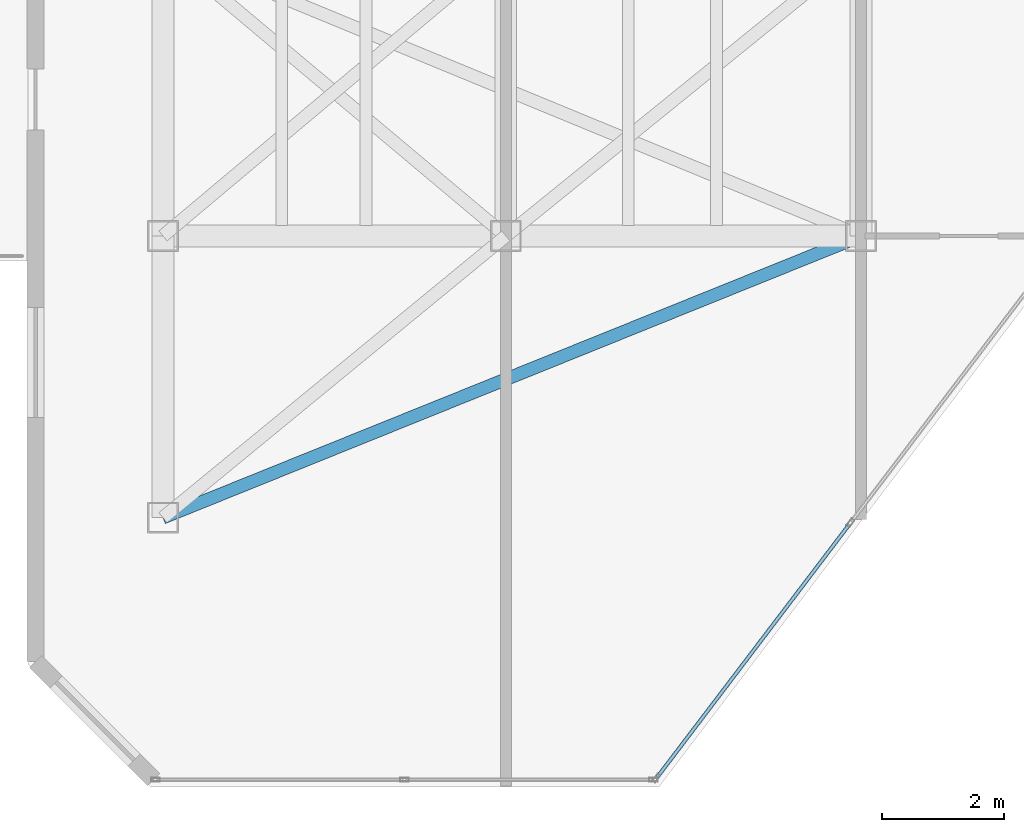
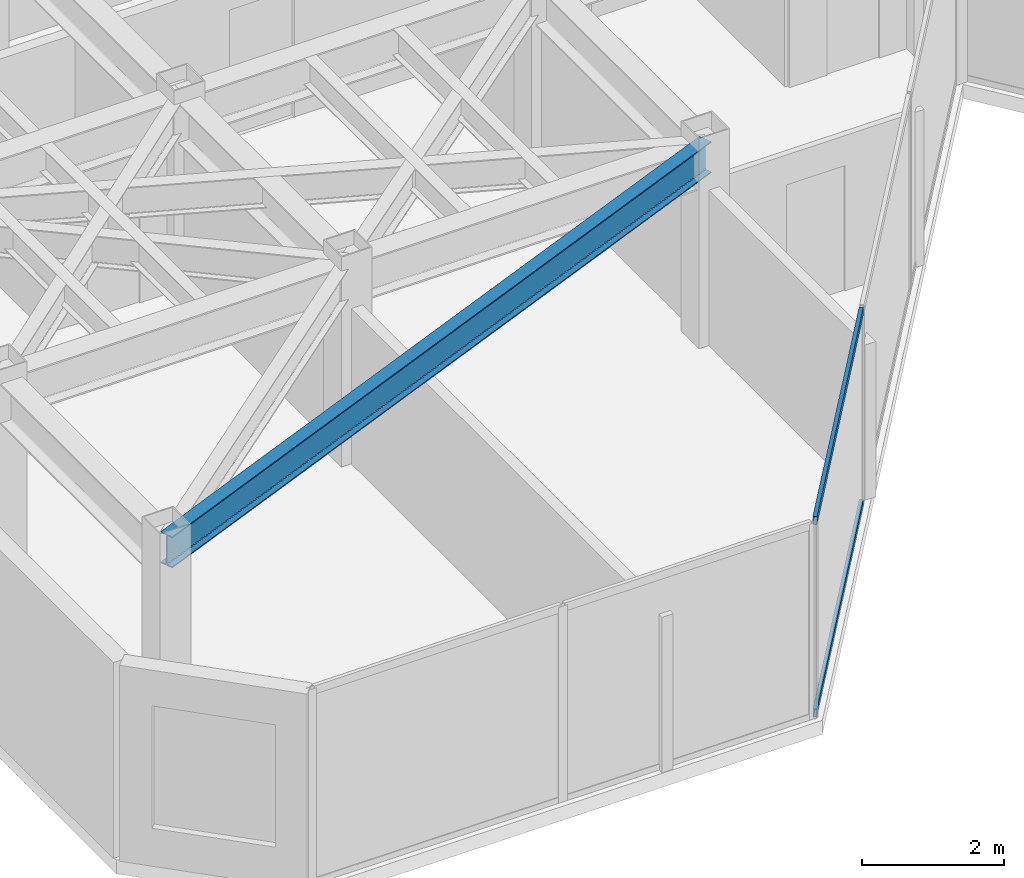
# One storey, part 3 of 17: 2 members, 1 beam, 1 element without a shape of its own.
"""IFC4 building model written with IfcOpenShell, lengths in metres."""

from ifc_helpers import new_model, si_unit, direction, frame, origin, origin_2d, place, context, subcontext, project, spatial, hollow_rectangle, i_section, extrude, material, layer, layer_set, material_profile, profile_set, type_object, element, aggregate, save


model = new_model("IFC4")

# Units and contexts
model_context = context("Model", 3, precision=1e-05, world=origin(), true_north=direction((0.0, 1.0)))
body_context = subcontext(model_context, "Body", "Model", "MODEL_VIEW")
ifc_project = project(units=[si_unit("LENGTHUNIT", "METRE"), si_unit("AREAUNIT", "SQUARE_METRE"), si_unit("VOLUMEUNIT", "CUBIC_METRE"), si_unit("PLANEANGLEUNIT", "RADIAN"), si_unit("MASSUNIT", "GRAM", prefix="KILO")], contexts=[model_context])

# Site, building, storey
site_placement = place(None, origin())
site = spatial("IfcSite", under=ifc_project, at=site_placement, CompositionType="ELEMENT")
building_placement = place(site_placement, origin())
building = spatial("IfcBuilding", under=site, at=building_placement, Name="Kravanh Interchange Tower", CompositionType="ELEMENT")
storey_placement = place(building_placement, frame((0.0, 0.0, 249.0)))
storey = spatial("IfcBuildingStorey", under=building, at=storey_placement, Name="L60", CompositionType="ELEMENT", Elevation=249.0)

# Curtain wall, members
ifc_material_1 = material(Name="Anodised Bronze Aluminium", Category="aluminium")
ifc_layer = layer(ifc_material_1, 0.179931640625)
ifc_layer_set = layer_set([ifc_layer], Name="Unitised Curtain Wall System CW-HTL Luxury Hotel")
curtain_wall_type = type_object("IfcCurtainWallType", Name="Unitised Curtain Wall System CW-HTL Luxury Hotel", PredefinedType="NOTDEFINED", material=ifc_layer_set)
curtain_wall_placement = place(storey_placement, origin())
curtain_wall = element("IfcCurtainWall", 1, at=curtain_wall_placement, inside=storey, type_object=curtain_wall_type, Name="L60 Unitised Curtain Wall CW-L60-04", PredefinedType="NOTDEFINED")
ifc_material_2 = material(Name="Anodised Bronze Aluminium", Category="aluminium")
ifc_material_profile_1 = material_profile(ifc_material_2, hollow_rectangle(XDim=0.06005859375, YDim=0.139892578125, WallThickness=0.00390625, at=origin_2d()), Name="ALU60X140X4")
ifc_profile_set_1 = profile_set([ifc_material_profile_1], Name="Anodised Bronze Aluminium")
member_type = type_object("IfcMemberType", Name="Curtain Wall Transom ALU60X140X4 Bronze", PredefinedType="USERDEFINED", material=ifc_profile_set_1)
member_1_placement = place(storey_placement, frame((38.408935546875, 22.0888671875, 0.030029296875), z_axis=(-0.605089246946, -0.796157649734, 0.0), x_axis=(0.796157649734, -0.605089246946, 0.0)))
member_1 = element("IfcMember", 2, at=member_1_placement, type_object=member_type, Name="CW-HTL transom 3.1", ObjectType="TRANSOM", PredefinedType="USERDEFINED", context=body_context, shape_type="SweptSolid", body=[
    extrude(hollow_rectangle(XDim=0.06005859375, YDim=0.139892578125, WallThickness=0.00390625, at=origin_2d()), origin(), (0.0, 0.0, 1.0), 5.17626953125),
])
member_2_placement = place(storey_placement, frame((38.408935546875, 22.0888671875, 3.330078125), z_axis=(-0.605089246946, -0.796157649734, 0.0), x_axis=(0.796157649734, -0.605089246946, 0.0)))
member_2 = element("IfcMember", 3, at=member_2_placement, type_object=member_type, Name="CW-HTL transom 3.2", ObjectType="TRANSOM", PredefinedType="USERDEFINED", context=body_context, shape_type="SweptSolid", body=[
    extrude(hollow_rectangle(XDim=0.06005859375, YDim=0.139892578125, WallThickness=0.00390625, at=origin_2d()), origin(), (0.0, 0.0, 1.0), 5.17626953125),
])
aggregate(curtain_wall, [member_1, member_2])

# Beam
ifc_material_3 = material(Name="Structural Steel S355", Category="steel")
ifc_material_profile_2 = material_profile(ifc_material_3, i_section(OverallWidth=0.2099609375, OverallDepth=0.537109375, WebThickness=0.010986328125, FlangeThickness=0.017333984375, FilletRadius=0.02001953125, at=origin_2d()), Name="W21X68")
ifc_profile_set_2 = profile_set([ifc_material_profile_2], Name="Structural Steel S355")
beam_type = type_object("IfcBeamType", Name="Floor Spandrel W21X68 Structural Steel S355", PredefinedType="SPANDREL", material=ifc_profile_set_2)
beam_placement = place(storey_placement, frame((38.60009765625, 26.800048828125, 3.091552734375), z_axis=(-0.927349344428, -0.374196730864, 0.0), x_axis=(0.374196730864, -0.927349344428, 0.0)))
element("IfcBeam", 4, at=beam_placement, inside=storey, type_object=beam_type, Name="L60 Perimeter Spandrel 30", PredefinedType="SPANDREL", context=body_context, shape_type="SweptSolid", body=[
    extrude(i_section(OverallWidth=0.2099609375, OverallDepth=0.537109375, WebThickness=0.010986328125, FlangeThickness=0.017333984375, FilletRadius=0.02001953125, at=origin_2d()), origin(), (0.0, 0.0, 1.0), 12.293212890625),
])

save(model, "model.ifc")
